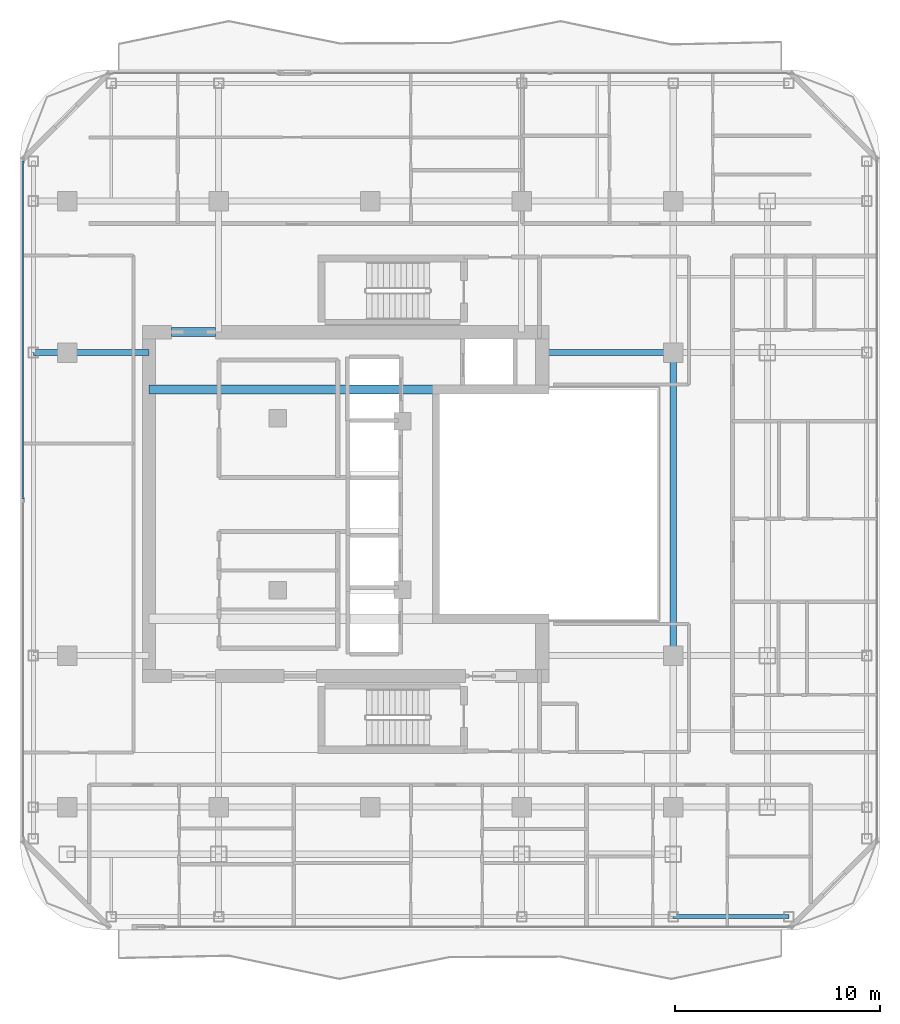
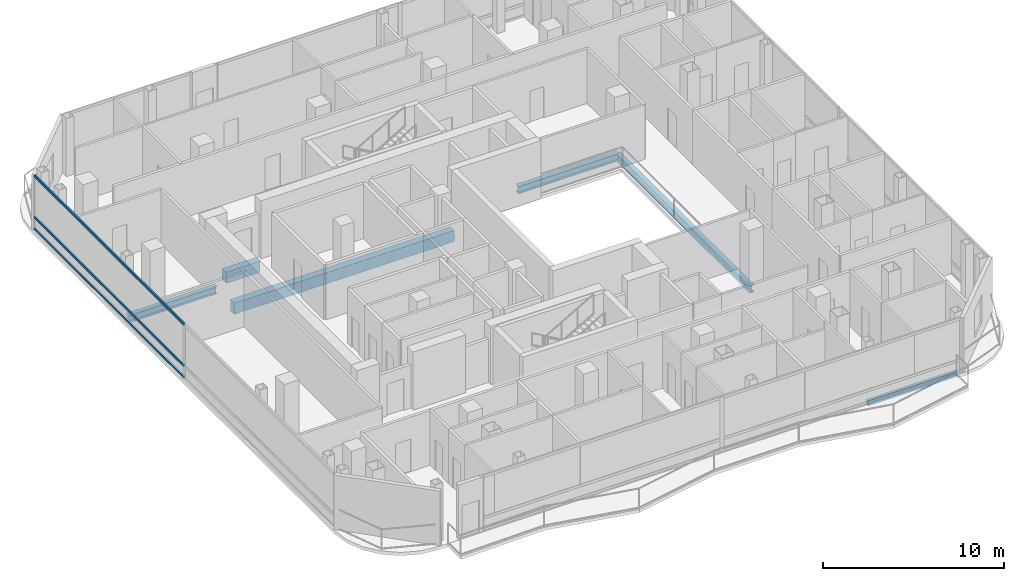
# One storey, part 7 of 24: 6 beams, 3 members, 1 element without a shape of its own.
"""IFC4 building model written with IfcOpenShell, lengths in metres."""

from ifc_helpers import new_model, si_unit, direction, frame, origin, origin_2d, place, context, subcontext, project, spatial, rectangle, hollow_rectangle, i_section, extrude, material, layer, layer_set, material_profile, profile_set, type_object, element, aggregate, save


model = new_model("IFC4")

# Units and contexts
model_context = context("Model", 3, precision=1e-05, world=origin(), true_north=direction((0.0, 1.0)))
body_context = subcontext(model_context, "Body", "Model", "MODEL_VIEW")
ifc_project = project(units=[si_unit("LENGTHUNIT", "METRE"), si_unit("AREAUNIT", "SQUARE_METRE"), si_unit("VOLUMEUNIT", "CUBIC_METRE"), si_unit("PLANEANGLEUNIT", "RADIAN"), si_unit("MASSUNIT", "GRAM", prefix="KILO")], contexts=[model_context])

# Site, building, storey
site_placement = place(None, origin())
site = spatial("IfcSite", under=ifc_project, at=site_placement, CompositionType="ELEMENT")
building_placement = place(site_placement, origin())
building = spatial("IfcBuilding", under=site, at=building_placement, Name="Khorvyn Point Tower", CompositionType="ELEMENT")
storey_placement = place(building_placement, frame((0.0, 0.0, 266.39990234375)))
storey = spatial("IfcBuildingStorey", under=building, at=storey_placement, Name="L65", CompositionType="ELEMENT", Elevation=266.39990234375)

# Curtain wall, members
ifc_material_1 = material(Name="Anodised aluminium 6063-T6 and laminated Low-E glass", Category="aluminium")
ifc_layer = layer(ifc_material_1, 0.18994140625)
ifc_layer_set = layer_set([ifc_layer], Name="Stick-Built High-Wind Curtain Wall CW-SYS-04")
curtain_wall_type = type_object("IfcCurtainWallType", Name="Stick-Built High-Wind Curtain Wall CW-SYS-04", PredefinedType="NOTDEFINED", material=ifc_layer_set)
curtain_wall_placement = place(storey_placement, origin())
curtain_wall = element("IfcCurtainWall", 1, at=curtain_wall_placement, inside=storey, type_object=curtain_wall_type, Name="Curtain Wall", PredefinedType="NOTDEFINED")
ifc_material_2 = material(Name="Anodised aluminium 6063-T6", Category="aluminium")
ifc_material_profile_1 = material_profile(ifc_material_2, hollow_rectangle(XDim=0.10009765625, YDim=0.159912109375, WallThickness=0.00439453125, at=origin_2d()))
ifc_profile_set_1 = profile_set([ifc_material_profile_1], Name="Anodised aluminium 6063-T6 ALU-TRN-100x160")
member_type = type_object("IfcMemberType", Name="Anodised Aluminium 6063-T6 Transom ALU-TRN-100x160", PredefinedType="USERDEFINED", material=ifc_profile_set_1)
member_1_placement = place(storey_placement, frame((-16.949951171875, 0.25, 0.050048828125), z_axis=(0.0, 1.0, 0.0), x_axis=(-1.0, 0.0, 0.0)))
member_1 = element("IfcMember", 2, at=member_1_placement, type_object=member_type, Name="Transom", ObjectType="TRANSOM", PredefinedType="USERDEFINED", context=body_context, shape_type="SweptSolid", body=[
    extrude(hollow_rectangle(XDim=0.10009765625, YDim=0.159912109375, WallThickness=0.00439453125, at=origin_2d()), origin(), (0.0, 0.0, 1.0), 16.5),
])
member_2_placement = place(storey_placement, frame((-16.949951171875, 0.25, 0.85009765625), z_axis=(0.0, 1.0, 0.0), x_axis=(-1.0, 0.0, 0.0)))
member_2 = element("IfcMember", 3, at=member_2_placement, type_object=member_type, Name="Transom", ObjectType="TRANSOM", PredefinedType="USERDEFINED", context=body_context, shape_type="SweptSolid", body=[
    extrude(hollow_rectangle(XDim=0.10009765625, YDim=0.159912109375, WallThickness=0.00439453125, at=origin_2d()), origin(), (0.0, 0.0, 1.0), 16.5),
])
member_3_placement = place(storey_placement, frame((-16.949951171875, 0.25, 3.630126953125), z_axis=(0.0, 1.0, 0.0), x_axis=(-1.0, 0.0, 0.0)))
member_3 = element("IfcMember", 4, at=member_3_placement, type_object=member_type, Name="Transom", ObjectType="TRANSOM", PredefinedType="USERDEFINED", context=body_context, shape_type="SweptSolid", body=[
    extrude(hollow_rectangle(XDim=0.10009765625, YDim=0.159912109375, WallThickness=0.00439453125, at=origin_2d()), origin(), (0.0, 0.0, 1.0), 16.5),
])
aggregate(curtain_wall, [member_1, member_2, member_3])

# Beams
ifc_material_3 = material(Name="Concrete C40/50", Category="concrete")
ifc_material_profile_2 = material_profile(ifc_material_3, rectangle(XDim=0.449951171875, YDim=0.75, at=origin_2d()))
ifc_profile_set_2 = profile_set([ifc_material_profile_2], Name="Concrete C40/50 RC450x750")
beam_type_1 = type_object("IfcBeamType", Name="Concrete C40/50 Beam RC450x750", PredefinedType="BEAM", material=ifc_profile_set_2)
beam_1_placement = place(storey_placement, frame((-10.800048828125, 5.60009765625, -0.594970703125), z_axis=(1.0, 0.0, 0.0), x_axis=(0.0, 1.0, 0.0)))
element("IfcBeam", 5, at=beam_1_placement, inside=storey, type_object=beam_type_1, Name="L65 Core Internal Tie Girder N", PredefinedType="BEAM", context=body_context, shape_type="SweptSolid", body=[
    extrude(rectangle(XDim=0.449951171875, YDim=0.75, at=origin_2d()), origin(), (0.0, 0.0, 1.0), 14.02001953125),
])
beam_2_placement = place(storey_placement, frame((-9.699951171875, 8.39990234375, -0.594970703125), z_axis=(1.0, 0.0, 0.0), x_axis=(0.0, 1.0, 0.0)))
element("IfcBeam", 6, at=beam_2_placement, inside=storey, type_object=beam_type_1, Name="L65 Core Northwest Portal Coupling Beam", PredefinedType="BEAM", context=body_context, shape_type="SweptSolid", body=[
    extrude(rectangle(XDim=0.449951171875, YDim=0.75, at=origin_2d()), origin(), (0.0, 0.0, 1.0), 2.14990234375),
])
ifc_material_4 = material(Name="Steel S355", Category="steel")
ifc_material_profile_3 = material_profile(ifc_material_4, i_section(OverallWidth=0.300048828125, OverallDepth=0.488037109375, WebThickness=0.010986328125, FlangeThickness=0.01806640625, at=origin_2d()))
ifc_profile_set_3 = profile_set([ifc_material_profile_3], Name="Steel S355 H488x300x11x18")
beam_type_2 = type_object("IfcBeamType", Name="Steel S355 Spandrel H488x300x11x18", PredefinedType="SPANDREL", material=ifc_profile_set_3)
beam_3_placement = place(storey_placement, frame((-16.449951171875, 7.39990234375, -0.4638671875), z_axis=(1.0, 0.0, 0.0), x_axis=(0.0, 1.0, 0.0)))
element("IfcBeam", 7, at=beam_3_placement, inside=storey, type_object=beam_type_2, Name="Beam", PredefinedType="SPANDREL", context=body_context, shape_type="SweptSolid", body=[
    extrude(i_section(OverallWidth=0.300048828125, OverallDepth=0.488037109375, WebThickness=0.010986328125, FlangeThickness=0.01806640625, at=origin_2d()), origin(), (0.0, 0.0, 1.0), 5.64990234375),
])
beam_4_placement = place(storey_placement, frame((8.39990234375, 7.39990234375, -0.4638671875), z_axis=(1.0, 0.0, 0.0), x_axis=(0.0, 1.0, 0.0)))
element("IfcBeam", 8, at=beam_4_placement, inside=storey, type_object=beam_type_2, Name="Beam", PredefinedType="SPANDREL", context=body_context, shape_type="SweptSolid", body=[
    extrude(i_section(OverallWidth=0.300048828125, OverallDepth=0.488037109375, WebThickness=0.010986328125, FlangeThickness=0.01806640625, at=origin_2d()), origin(), (0.0, 0.0, 1.0), 6.400146484375),
])
beam_5_placement = place(storey_placement, frame((14.800048828125, -7.39990234375, -0.4638671875), z_axis=(0.0, 1.0, 0.0), x_axis=(-1.0, 0.0, 0.0)))
element("IfcBeam", 9, at=beam_5_placement, inside=storey, type_object=beam_type_2, Name="Beam", PredefinedType="SPANDREL", context=body_context, shape_type="SweptSolid", body=[
    extrude(i_section(OverallWidth=0.300048828125, OverallDepth=0.488037109375, WebThickness=0.010986328125, FlangeThickness=0.01806640625, at=origin_2d()), origin(), (0.0, 0.0, 1.0), 14.7998046875),
])
ifc_material_profile_4 = material_profile(ifc_material_4, hollow_rectangle(XDim=0.199951171875, YDim=0.35009765625, WallThickness=0.013916015625, at=origin_2d()))
ifc_profile_set_4 = profile_set([ifc_material_profile_4], Name="Steel S355 RHS350x200x14")
beam_type_3 = type_object("IfcBeamType", Name="Steel S355 Spandrel RHS350x200x14", PredefinedType="SPANDREL", material=ifc_profile_set_4)
beam_6_placement = place(storey_placement, frame((14.800048828125, -20.14990234375, -0.39501953125), z_axis=(1.0, 0.0, 0.0), x_axis=(0.0, 1.0, 0.0)))
element("IfcBeam", 10, at=beam_6_placement, inside=storey, type_object=beam_type_3, Name="Beam", PredefinedType="SPANDREL", context=body_context, shape_type="SweptSolid", body=[
    extrude(hollow_rectangle(XDim=0.199951171875, YDim=0.35009765625, WallThickness=0.013916015625, at=origin_2d()), origin(), (0.0, 0.0, 1.0), 5.64990234375),
])

save(model, "model.ifc")
